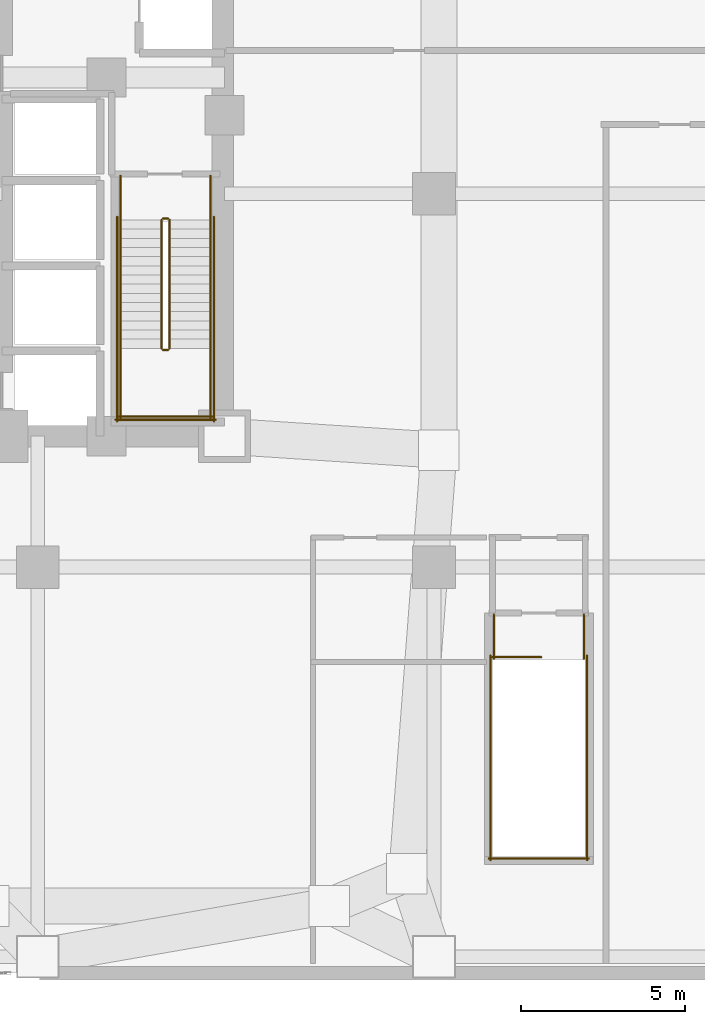
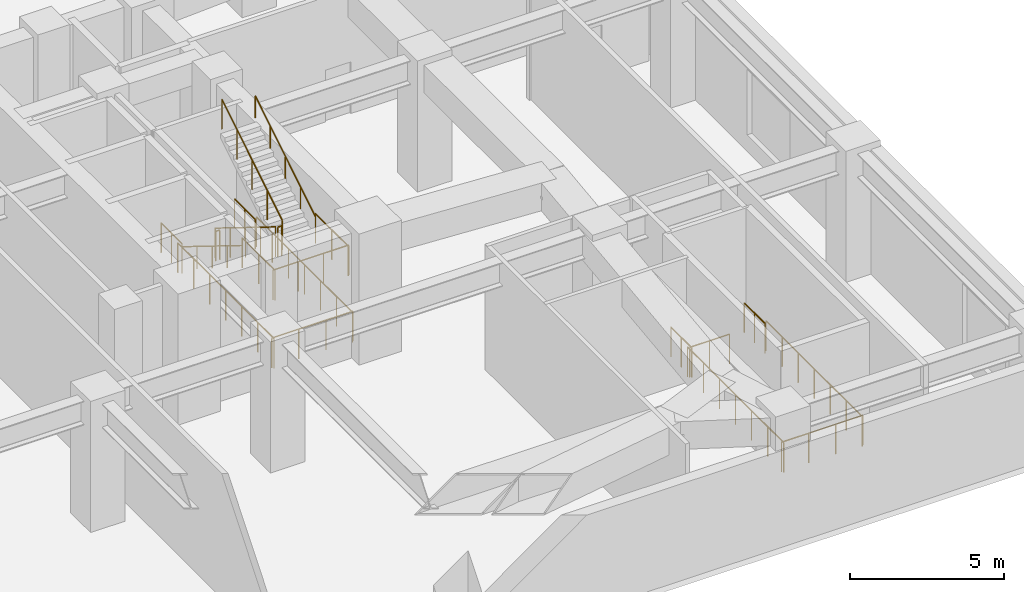
# One storey, part 20 of 20: 20 railings.
"""IFC4 building model written with IfcOpenShell, lengths in metres."""

from ifc_helpers import new_model, si_unit, direction, frame, origin, origin_2d, place, context, subcontext, project, spatial, circle, extrude, material, type_object, element, save


model = new_model("IFC4")

# Units and contexts
model_context = context("Model", 3, precision=1e-05, world=origin(), true_north=direction((0.0, 1.0)))
body_context = subcontext(model_context, "Body", "Model", "MODEL_VIEW")
ifc_project = project(units=[si_unit("LENGTHUNIT", "METRE"), si_unit("AREAUNIT", "SQUARE_METRE"), si_unit("VOLUMEUNIT", "CUBIC_METRE"), si_unit("PLANEANGLEUNIT", "RADIAN"), si_unit("MASSUNIT", "GRAM", prefix="KILO")], contexts=[model_context])

# Site, building, storey
site_placement = place(None, origin())
site = spatial("IfcSite", under=ifc_project, at=site_placement, CompositionType="ELEMENT")
building_placement = place(site_placement, origin())
building = spatial("IfcBuilding", under=site, at=building_placement, Name="Voryun Gate Residences", CompositionType="ELEMENT")
storey_placement = place(building_placement, frame((0.0, 0.0, 20.800048828125)))
storey = spatial("IfcBuildingStorey", under=building, at=storey_placement, Name="L04", CompositionType="ELEMENT", Elevation=20.800048828125)

# Railings
ifc_material_1 = material(Name="Painted steel", Category="steel")
railing_type_1 = type_object("IfcRailingType", Name="RAIL_STAIR_GUARD_1200", PredefinedType="GUARDRAIL", material=ifc_material_1)
railing_1_placement = place(storey_placement, frame((17.27490234375, -0.800048828125, 0.17333984375)))
element("IfcRailing", 1, at=railing_1_placement, inside=storey, type_object=railing_type_1, Name="L04 ST-E1 stair guard 1", PredefinedType="GUARDRAIL", context=body_context, shape_type="SweptSolid", body=[
    extrude(circle(Radius=0.02392578125, at=origin_2d()), frame((0.0, 0.0, 1.17578125), z_axis=(0.0, -0.850275303828, 0.526338206574), x_axis=(1.0, 0.0, 0.0)), (0.0, 0.0, 1.0), 4.610107421875),
    extrude(circle(Radius=0.02099609375, at=origin_2d()), origin(), (0.0, 0.0, 1.0), 1.15185546875),
    extrude(circle(Radius=0.02099609375, at=origin_2d()), frame((0.0, -0.97998046875, 0.606689453125)), (0.0, 0.0, 1.0), 1.15185546875),
    extrude(circle(Radius=0.02099609375, at=origin_2d()), frame((0.0, -1.9599609375, 1.21337890625)), (0.0, 0.0, 1.0), 1.15185546875),
    extrude(circle(Radius=0.02099609375, at=origin_2d()), frame((0.0, -2.93994140625, 1.81982421875)), (0.0, 0.0, 1.0), 1.15185546875),
    extrude(circle(Radius=0.02099609375, at=origin_2d()), frame((0.0, -3.919921875, 2.426513671875)), (0.0, 0.0, 1.0), 1.15185546875),
])
railing_2_placement = place(storey_placement, frame((17.324951171875, -4.77001953125, 2.599853515625)))
element("IfcRailing", 2, at=railing_2_placement, inside=storey, type_object=railing_type_1, Name="L04 ST-E1 stair guard 2", PredefinedType="GUARDRAIL", context=body_context, shape_type="SweptSolid", body=[
    extrude(circle(Radius=0.02392578125, at=origin_2d()), frame((0.0, 0.0, 1.17578125), z_axis=(1.0, 0.0, 0.0), x_axis=(0.0, 1.0, 0.0)), (0.0, 0.0, 1.0), 0.150146484375),
    extrude(circle(Radius=0.02099609375, at=origin_2d()), origin(), (0.0, 0.0, 1.0), 1.15185546875),
    extrude(circle(Radius=0.02099609375, at=origin_2d()), frame((0.150146484375, 0.0, 0.0)), (0.0, 0.0, 1.0), 1.15185546875),
])
for number, where, name in (
    (3, (16.02490234375, -4.719970703125, 2.599853515625), "L04 ST-E1 stair guard 3"),
    (4, (18.77490234375, -4.719970703125, 2.599853515625), "L04 ST-E1 stair guard 4"),
):
    element("IfcRailing", number, at=place(storey_placement, frame(where)), inside=storey, type_object=railing_type_1, Name=name, PredefinedType="GUARDRAIL", context=body_context, shape_type="SweptSolid", body=[
        extrude(circle(Radius=0.02392578125, at=origin_2d()), frame((0.0, 0.0, 1.17578125), z_axis=(0.0, -1.0, 0.0), x_axis=(1.0, 0.0, 0.0)), (0.0, 0.0, 1.0), 2.130126953125),
        extrude(circle(Radius=0.02099609375, at=origin_2d()), origin(), (0.0, 0.0, 1.0), 1.15185546875),
        extrude(circle(Radius=0.02099609375, at=origin_2d()), frame((0.0, -1.06494140625, 0.0)), (0.0, 0.0, 1.0), 1.15185546875),
        extrude(circle(Radius=0.02099609375, at=origin_2d()), frame((0.0, -2.130126953125, 0.0)), (0.0, 0.0, 1.0), 1.15185546875),
    ])
railing_3_placement = place(storey_placement, frame((15.97509765625, -6.800048828125, 2.599853515625)))
element("IfcRailing", 5, at=railing_3_placement, inside=storey, type_object=railing_type_1, Name="L04 ST-E1 stair guard 5", PredefinedType="GUARDRAIL", context=body_context, shape_type="SweptSolid", body=[
    extrude(circle(Radius=0.02392578125, at=origin_2d()), frame((0.0, 0.0, 1.17578125), z_axis=(1.0, 0.0, 0.0), x_axis=(0.0, 1.0, 0.0)), (0.0, 0.0, 1.0), 2.849853515625),
    extrude(circle(Radius=0.02099609375, at=origin_2d()), origin(), (0.0, 0.0, 1.0), 1.15185546875),
    extrude(circle(Radius=0.02099609375, at=origin_2d()), frame((0.949951171875, 0.0, 0.0)), (0.0, 0.0, 1.0), 1.15185546875),
    extrude(circle(Radius=0.02099609375, at=origin_2d()), frame((1.89990234375, 0.0, 0.0)), (0.0, 0.0, 1.0), 1.15185546875),
    extrude(circle(Radius=0.02099609375, at=origin_2d()), frame((2.849853515625, 0.0, 0.0)), (0.0, 0.0, 1.0), 1.15185546875),
])
railing_4_placement = place(storey_placement, frame((17.52490234375, -4.719970703125, 2.773193359375)))
element("IfcRailing", 6, at=railing_4_placement, inside=storey, type_object=railing_type_1, Name="L04 ST-E1 stair guard 6", PredefinedType="GUARDRAIL", context=body_context, shape_type="SweptSolid", body=[
    extrude(circle(Radius=0.02392578125, at=origin_2d()), frame((0.0, 0.0, 1.17578125), z_axis=(0.0, 0.850251603719, 0.526376491091), x_axis=(-1.0, 0.0, 0.0)), (0.0, 0.0, 1.0), 4.6103515625),
    extrude(circle(Radius=0.02099609375, at=origin_2d()), origin(), (0.0, 0.0, 1.0), 1.15185546875),
    extrude(circle(Radius=0.02099609375, at=origin_2d()), frame((0.0, 0.97998046875, 0.606689453125)), (0.0, 0.0, 1.0), 1.15185546875),
    extrude(circle(Radius=0.02099609375, at=origin_2d()), frame((0.0, 1.9599609375, 1.21337890625)), (0.0, 0.0, 1.0), 1.15185546875),
    extrude(circle(Radius=0.02099609375, at=origin_2d()), frame((0.0, 2.93994140625, 1.820068359375)), (0.0, 0.0, 1.0), 1.15185546875),
    extrude(circle(Radius=0.02099609375, at=origin_2d()), frame((0.0, 3.919921875, 2.4267578125)), (0.0, 0.0, 1.0), 1.15185546875),
])
railing_5_placement = place(storey_placement, frame((17.324951171875, -0.75, 0.0)))
element("IfcRailing", 7, at=railing_5_placement, inside=storey, type_object=railing_type_1, Name="L04 ST-E1 stair guard 7", PredefinedType="GUARDRAIL", context=body_context, shape_type="SweptSolid", body=[
    extrude(circle(Radius=0.02392578125, at=origin_2d()), frame((0.0, 0.0, 1.17578125), z_axis=(1.0, 0.0, 0.0), x_axis=(0.0, 1.0, 0.0)), (0.0, 0.0, 1.0), 0.150146484375),
    extrude(circle(Radius=0.02099609375, at=origin_2d()), origin(), (0.0, 0.0, 1.0), 1.15185546875),
    extrude(circle(Radius=0.02099609375, at=origin_2d()), frame((0.150146484375, 0.0, 0.0)), (0.0, 0.0, 1.0), 1.15185546875),
])
for number, where, name in (
    (8, (16.02490234375, 0.550048828125, 0.0), "L04 ST-E1 stair guard 8"),
    (9, (18.77490234375, 0.550048828125, 0.0), "L04 ST-E1 stair guard 9"),
):
    element("IfcRailing", number, at=place(storey_placement, frame(where)), inside=storey, type_object=railing_type_1, Name=name, PredefinedType="GUARDRAIL", context=body_context, shape_type="SweptSolid", body=[
        extrude(circle(Radius=0.02392578125, at=origin_2d()), frame((0.0, 0.0, 1.17578125), z_axis=(0.0, -1.0, 0.0), x_axis=(1.0, 0.0, 0.0)), (0.0, 0.0, 1.0), 1.35009765625),
        extrude(circle(Radius=0.02099609375, at=origin_2d()), origin(), (0.0, 0.0, 1.0), 1.15185546875),
        extrude(circle(Radius=0.02099609375, at=origin_2d()), frame((0.0, -0.675048828125, 0.0)), (0.0, 0.0, 1.0), 1.15185546875),
        extrude(circle(Radius=0.02099609375, at=origin_2d()), frame((0.0, -1.35009765625, 0.0)), (0.0, 0.0, 1.0), 1.15185546875),
    ])
for number, where, name in (
    (10, (15.925048828125, -0.699951171875, 0.0), "L04 ST-E1 stair guard 10"),
    (11, (18.875, -0.699951171875, 0.0), "L04 ST-E1 stair guard 11"),
):
    element("IfcRailing", number, at=place(storey_placement, frame(where)), inside=storey, type_object=railing_type_1, Name=name, PredefinedType="GUARDRAIL", context=body_context, shape_type="SweptSolid", body=[
        extrude(circle(Radius=0.02392578125, at=origin_2d()), frame((0.0, 0.0, 1.17578125), z_axis=(0.0, -1.0, 0.0), x_axis=(1.0, 0.0, 0.0)), (0.0, 0.0, 1.0), 6.25),
        extrude(circle(Radius=0.02099609375, at=origin_2d()), origin(), (0.0, 0.0, 1.0), 1.15185546875),
        extrude(circle(Radius=0.02099609375, at=origin_2d()), frame((0.0, -1.041748046875, 0.0)), (0.0, 0.0, 1.0), 1.15185546875),
        extrude(circle(Radius=0.02099609375, at=origin_2d()), frame((0.0, -2.083251953125, 0.0)), (0.0, 0.0, 1.0), 1.15185546875),
        extrude(circle(Radius=0.02099609375, at=origin_2d()), frame((0.0, -3.125, 0.0)), (0.0, 0.0, 1.0), 1.15185546875),
        extrude(circle(Radius=0.02099609375, at=origin_2d()), frame((0.0, -4.166748046875, 0.0)), (0.0, 0.0, 1.0), 1.15185546875),
        extrude(circle(Radius=0.02099609375, at=origin_2d()), frame((0.0, -5.208251953125, 0.0)), (0.0, 0.0, 1.0), 1.15185546875),
        extrude(circle(Radius=0.02099609375, at=origin_2d()), frame((0.0, -6.25, 0.0)), (0.0, 0.0, 1.0), 1.15185546875),
    ])
railing_6_placement = place(storey_placement, frame((15.875, -6.89990234375, 0.0)))
element("IfcRailing", 12, at=railing_6_placement, inside=storey, type_object=railing_type_1, Name="L04 ST-E1 stair guard 12", PredefinedType="GUARDRAIL", context=body_context, shape_type="SweptSolid", body=[
    extrude(circle(Radius=0.02392578125, at=origin_2d()), frame((0.0, 0.0, 1.17578125), z_axis=(1.0, 0.0, 0.0), x_axis=(0.0, 1.0, 0.0)), (0.0, 0.0, 1.0), 3.050048828125),
    extrude(circle(Radius=0.02099609375, at=origin_2d()), origin(), (0.0, 0.0, 1.0), 1.15185546875),
    extrude(circle(Radius=0.02099609375, at=origin_2d()), frame((1.0166015625, 0.0, 0.0)), (0.0, 0.0, 1.0), 1.15185546875),
    extrude(circle(Radius=0.02099609375, at=origin_2d()), frame((2.033447265625, 0.0, 0.0)), (0.0, 0.0, 1.0), 1.15185546875),
    extrude(circle(Radius=0.02099609375, at=origin_2d()), frame((3.050048828125, 0.0, 0.0)), (0.0, 0.0, 1.0), 1.15185546875),
])
railing_7_placement = place(storey_placement, frame((27.375, -14.14990234375, 0.0)))
element("IfcRailing", 13, at=railing_7_placement, inside=storey, type_object=railing_type_1, Name="L04 ST-P2 top well guard 1", PredefinedType="GUARDRAIL", context=body_context, shape_type="SweptSolid", body=[
    extrude(circle(Radius=0.02392578125, at=origin_2d()), frame((0.0, 0.0, 1.17578125), z_axis=(1.0, 0.0, 0.0), x_axis=(0.0, 1.0, 0.0)), (0.0, 0.0, 1.0), 1.5),
    extrude(circle(Radius=0.02099609375, at=origin_2d()), origin(), (0.0, 0.0, 1.0), 1.15185546875),
    extrude(circle(Radius=0.02099609375, at=origin_2d()), frame((0.75, 0.0, 0.0)), (0.0, 0.0, 1.0), 1.15185546875),
    extrude(circle(Radius=0.02099609375, at=origin_2d()), frame((1.5, 0.0, 0.0)), (0.0, 0.0, 1.0), 1.15185546875),
])
for number, where, name in (
    (14, (27.324951171875, -14.10009765625, 0.0), "L04 ST-P2 top well guard 2"),
    (15, (30.27490234375, -14.10009765625, 0.0), "L04 ST-P2 top well guard 3"),
):
    element("IfcRailing", number, at=place(storey_placement, frame(where)), inside=storey, type_object=railing_type_1, Name=name, PredefinedType="GUARDRAIL", context=body_context, shape_type="SweptSolid", body=[
        extrude(circle(Radius=0.02392578125, at=origin_2d()), frame((0.0, 0.0, 1.17578125), z_axis=(0.0, -1.0, 0.0), x_axis=(1.0, 0.0, 0.0)), (0.0, 0.0, 1.0), 6.25),
        extrude(circle(Radius=0.02099609375, at=origin_2d()), origin(), (0.0, 0.0, 1.0), 1.15185546875),
        extrude(circle(Radius=0.02099609375, at=origin_2d()), frame((0.0, -1.041748046875, 0.0)), (0.0, 0.0, 1.0), 1.15185546875),
        extrude(circle(Radius=0.02099609375, at=origin_2d()), frame((0.0, -2.083251953125, 0.0)), (0.0, 0.0, 1.0), 1.15185546875),
        extrude(circle(Radius=0.02099609375, at=origin_2d()), frame((0.0, -3.125, 0.0)), (0.0, 0.0, 1.0), 1.15185546875),
        extrude(circle(Radius=0.02099609375, at=origin_2d()), frame((0.0, -4.166748046875, 0.0)), (0.0, 0.0, 1.0), 1.15185546875),
        extrude(circle(Radius=0.02099609375, at=origin_2d()), frame((0.0, -5.208251953125, 0.0)), (0.0, 0.0, 1.0), 1.15185546875),
        extrude(circle(Radius=0.02099609375, at=origin_2d()), frame((0.0, -6.25, 0.0)), (0.0, 0.0, 1.0), 1.15185546875),
    ])
railing_8_placement = place(storey_placement, frame((27.27490234375, -20.300048828125, 0.0)))
element("IfcRailing", 16, at=railing_8_placement, inside=storey, type_object=railing_type_1, Name="L04 ST-P2 top well guard 4", PredefinedType="GUARDRAIL", context=body_context, shape_type="SweptSolid", body=[
    extrude(circle(Radius=0.02392578125, at=origin_2d()), frame((0.0, 0.0, 1.17578125), z_axis=(1.0, 0.0, 0.0), x_axis=(0.0, 1.0, 0.0)), (0.0, 0.0, 1.0), 3.050048828125),
    extrude(circle(Radius=0.02099609375, at=origin_2d()), origin(), (0.0, 0.0, 1.0), 1.15185546875),
    extrude(circle(Radius=0.02099609375, at=origin_2d()), frame((1.0166015625, 0.0, 0.0)), (0.0, 0.0, 1.0), 1.15185546875),
    extrude(circle(Radius=0.02099609375, at=origin_2d()), frame((2.033447265625, 0.0, 0.0)), (0.0, 0.0, 1.0), 1.15185546875),
    extrude(circle(Radius=0.02099609375, at=origin_2d()), frame((3.050048828125, 0.0, 0.0)), (0.0, 0.0, 1.0), 1.15185546875),
])
for number, where, name in (
    (17, (27.425048828125, -12.85009765625, 0.0), "L04 ST-P2 top well guard 5"),
    (18, (30.175048828125, -12.85009765625, 0.0), "L04 ST-P2 top well guard 6"),
):
    element("IfcRailing", number, at=place(storey_placement, frame(where)), inside=storey, type_object=railing_type_1, Name=name, PredefinedType="GUARDRAIL", context=body_context, shape_type="SweptSolid", body=[
        extrude(circle(Radius=0.02392578125, at=origin_2d()), frame((0.0, 0.0, 1.17578125), z_axis=(0.0, -1.0, 0.0), x_axis=(1.0, 0.0, 0.0)), (0.0, 0.0, 1.0), 1.349853515625),
        extrude(circle(Radius=0.02099609375, at=origin_2d()), origin(), (0.0, 0.0, 1.0), 1.15185546875),
        extrude(circle(Radius=0.02099609375, at=origin_2d()), frame((0.0, -0.6748046875, 0.0)), (0.0, 0.0, 1.0), 1.15185546875),
        extrude(circle(Radius=0.02099609375, at=origin_2d()), frame((0.0, -1.349853515625, 0.0)), (0.0, 0.0, 1.0), 1.15185546875),
    ])
ifc_material_2 = material(Name="Painted steel", Category="steel")
railing_type_2 = type_object("IfcRailingType", Name="RAIL_STAIR_HANDRAIL_900", PredefinedType="HANDRAIL", material=ifc_material_2)
railing_9_placement = place(storey_placement, frame((16.02490234375, -0.800048828125, 0.17333984375)))
element("IfcRailing", 19, at=railing_9_placement, inside=storey, type_object=railing_type_2, Name="L04 ST-E1 stair handrail 1", PredefinedType="HANDRAIL", context=body_context, shape_type="SweptSolid", body=[
    extrude(circle(Radius=0.02392578125, at=origin_2d()), frame((0.0, 0.0, 0.8759765625), z_axis=(0.0, -0.850275303828, 0.526338206574), x_axis=(1.0, 0.0, 0.0)), (0.0, 0.0, 1.0), 4.610107421875),
    extrude(circle(Radius=0.02099609375, at=origin_2d()), origin(), (0.0, 0.0, 1.0), 0.851806640625),
    extrude(circle(Radius=0.02099609375, at=origin_2d()), frame((0.0, -0.97998046875, 0.606689453125)), (0.0, 0.0, 1.0), 0.851806640625),
    extrude(circle(Radius=0.02099609375, at=origin_2d()), frame((0.0, -1.9599609375, 1.21337890625)), (0.0, 0.0, 1.0), 0.851806640625),
    extrude(circle(Radius=0.02099609375, at=origin_2d()), frame((0.0, -2.93994140625, 1.81982421875)), (0.0, 0.0, 1.0), 0.851806640625),
    extrude(circle(Radius=0.02099609375, at=origin_2d()), frame((0.0, -3.919921875, 2.426513671875)), (0.0, 0.0, 1.0), 0.851806640625),
])
railing_10_placement = place(storey_placement, frame((18.77490234375, -4.719970703125, 2.773193359375)))
element("IfcRailing", 20, at=railing_10_placement, inside=storey, type_object=railing_type_2, Name="L04 ST-E1 stair handrail 2", PredefinedType="HANDRAIL", context=body_context, shape_type="SweptSolid", body=[
    extrude(circle(Radius=0.02392578125, at=origin_2d()), frame((0.0, 0.0, 0.8759765625), z_axis=(0.0, 0.850251603719, 0.526376491091), x_axis=(-1.0, 0.0, 0.0)), (0.0, 0.0, 1.0), 4.6103515625),
    extrude(circle(Radius=0.02099609375, at=origin_2d()), origin(), (0.0, 0.0, 1.0), 0.851806640625),
    extrude(circle(Radius=0.02099609375, at=origin_2d()), frame((0.0, 0.97998046875, 0.606689453125)), (0.0, 0.0, 1.0), 0.851806640625),
    extrude(circle(Radius=0.02099609375, at=origin_2d()), frame((0.0, 1.9599609375, 1.21337890625)), (0.0, 0.0, 1.0), 0.851806640625),
    extrude(circle(Radius=0.02099609375, at=origin_2d()), frame((0.0, 2.93994140625, 1.820068359375)), (0.0, 0.0, 1.0), 0.851806640625),
    extrude(circle(Radius=0.02099609375, at=origin_2d()), frame((0.0, 3.919921875, 2.4267578125)), (0.0, 0.0, 1.0), 0.851806640625),
])

save(model, "model.ifc")
